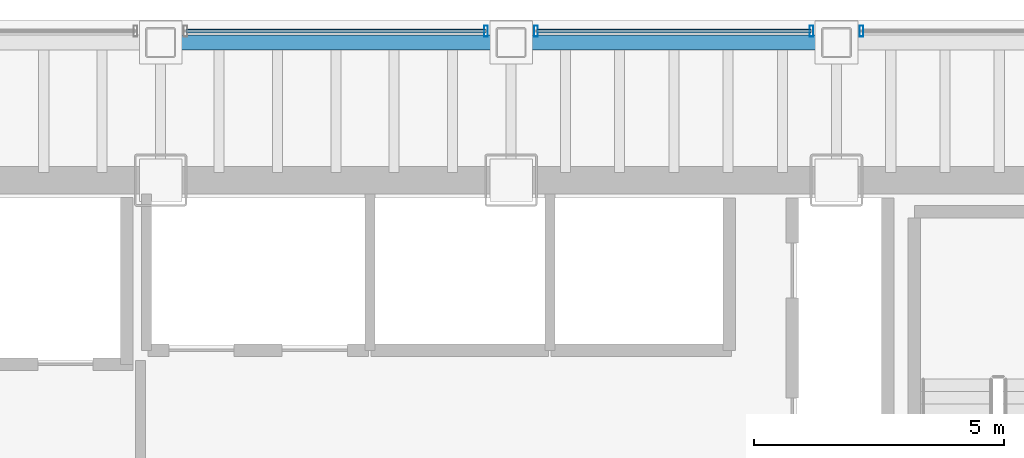
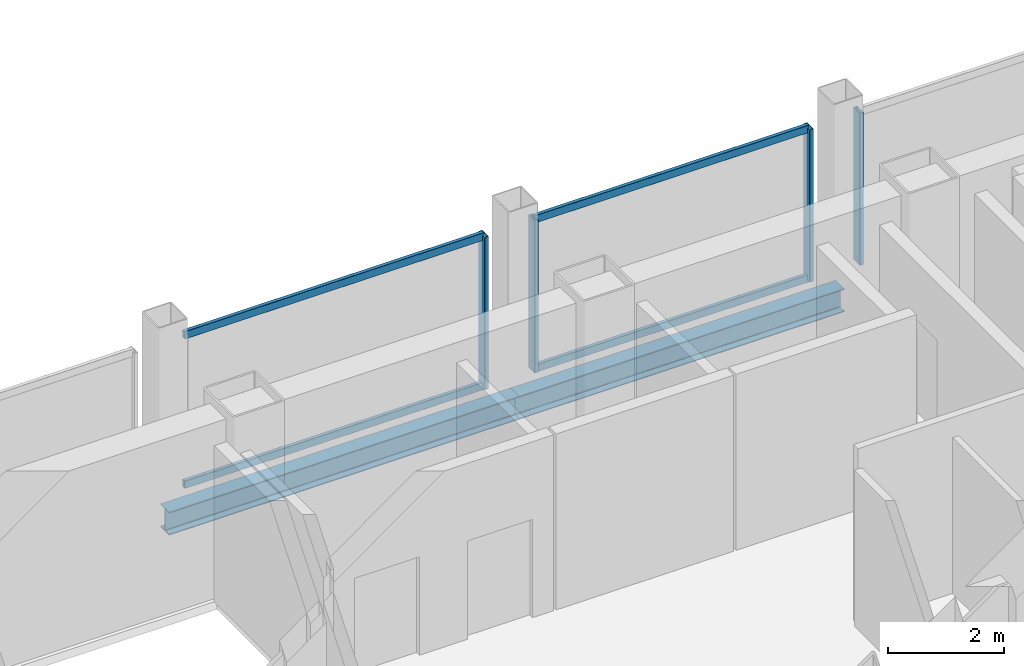
# One storey, part 15 of 22: 8 members, 2 beams, 3 elements without a shape of their own.
"""IFC4 building model written with IfcOpenShell, lengths in metres."""

from ifc_helpers import new_model, si_unit, direction, frame, origin, origin_2d, place, context, subcontext, project, spatial, hollow_rectangle, i_section, extrude, material, material_profile, profile_set, type_object, element, aggregate, save


model = new_model("IFC4")

# Units and contexts
model_context = context("Model", 3, precision=1e-05, world=origin(), true_north=direction((0.0, 1.0)))
body_context = subcontext(model_context, "Body", "Model", "MODEL_VIEW")
ifc_project = project(units=[si_unit("LENGTHUNIT", "METRE"), si_unit("AREAUNIT", "SQUARE_METRE"), si_unit("VOLUMEUNIT", "CUBIC_METRE"), si_unit("PLANEANGLEUNIT", "RADIAN"), si_unit("MASSUNIT", "GRAM", prefix="KILO")], contexts=[model_context])

# Site, building, storey
site_placement = place(None, origin())
site = spatial("IfcSite", under=ifc_project, at=site_placement, CompositionType="ELEMENT")
building_placement = place(site_placement, origin())
building = spatial("IfcBuilding", under=site, at=building_placement, Name="Noeulbin Bourse Tower", CompositionType="ELEMENT")
storey_placement = place(building_placement, frame((0.0, 0.0, 85.0)))
storey = spatial("IfcBuildingStorey", under=building, at=storey_placement, Name="L21", CompositionType="ELEMENT", Elevation=85.0)

# Beams
ifc_material_1 = material(Name="Steel S355", Category="steel")
ifc_material_profile_1 = material_profile(ifc_material_1, i_section(OverallWidth=0.300048828125, OverallDepth=0.488037109375, WebThickness=0.010986328125, FlangeThickness=0.01806640625, FilletRadius=0.02197265625, at=origin_2d()), Name="H-488x300x11x18", Category="LoadBearing")
ifc_profile_set_1 = profile_set([ifc_material_profile_1], Name="Steel S355")
beam_type = type_object("IfcBeamType", Name="BM-SPN-488", PredefinedType="SPANDREL", material=ifc_profile_set_1)
beam_1_placement = place(storey_placement, frame((24.0, 41.050048828125, -0.424072265625), z_axis=(1.0, 0.0, 0.0), x_axis=(0.0, 1.0, 0.0)))
element("IfcBeam", 1, at=beam_1_placement, inside=storey, type_object=beam_type, Name="North Spandrel L21-2", PredefinedType="SPANDREL", context=body_context, shape_type="SweptSolid", body=[
    extrude(i_section(OverallWidth=0.300048828125, OverallDepth=0.488037109375, WebThickness=0.010986328125, FlangeThickness=0.01806640625, FilletRadius=0.02197265625, at=origin_2d()), origin(), (0.0, 0.0, 1.0), 7.0),
])
beam_2_placement = place(storey_placement, frame((31.0, 41.050048828125, -0.424072265625), z_axis=(1.0, 0.0, 0.0), x_axis=(0.0, 1.0, 0.0)))
element("IfcBeam", 2, at=beam_2_placement, inside=storey, type_object=beam_type, Name="North Spandrel L21-3", PredefinedType="SPANDREL", context=body_context, shape_type="SweptSolid", body=[
    extrude(i_section(OverallWidth=0.300048828125, OverallDepth=0.488037109375, WebThickness=0.010986328125, FlangeThickness=0.01806640625, FilletRadius=0.02197265625, at=origin_2d()), origin(), (0.0, 0.0, 1.0), 6.5),
])

# Curtain wall, member
ifc_material_2 = material(Name="Dark Solar-Control Double Glazing", Category="glass")
curtain_wall_type = type_object("IfcCurtainWallType", Name="CW-SYS-2", PredefinedType="NOTDEFINED", material=ifc_material_2)
curtain_wall_1_placement = place(storey_placement, origin())
curtain_wall_1 = element("IfcCurtainWall", 3, at=curtain_wall_1_placement, inside=storey, type_object=curtain_wall_type, Name="Unitised Curtain Wall CW-L21-N-S3", PredefinedType="NOTDEFINED")
ifc_material_3 = material(Name="Anodised Aluminium 6063-T6", Category="aluminium")
ifc_material_profile_2 = material_profile(ifc_material_3, hollow_rectangle(XDim=0.074951171875, YDim=0.219970703125, WallThickness=0.0048828125, InnerFilletRadius=0.00244140625, OuterFilletRadius=0.0048828125, at=origin_2d()), Name="ALU-MULL-75x220x5", Category="LoadBearing")
ifc_profile_set_2 = profile_set([ifc_material_profile_2], Name="Anodised Aluminium 6063-T6")
member_type_1 = type_object("IfcMemberType", Name="CW-SYS-2-MUL", PredefinedType="MULLION", material=ifc_profile_set_2)
member_1_placement = place(storey_placement, frame((30.5, 41.280029296875, -0.02001953125), z_axis=(0.0, 0.0, 1.0), x_axis=(1.0, 0.0, 0.0)))
member_1 = element("IfcMember", 4, at=member_1_placement, type_object=member_type_1, Name="Curtain Wall Mullion CW-L21-N-S3-M01", PredefinedType="MULLION", context=body_context, shape_type="SweptSolid", body=[
    extrude(hollow_rectangle(XDim=0.074951171875, YDim=0.219970703125, WallThickness=0.0048828125, InnerFilletRadius=0.00244140625, OuterFilletRadius=0.0048828125, at=origin_2d()), origin(), (0.0, 0.0, 1.0), 3.219970703125),
])

# Curtain wall, members
curtain_wall_2_placement = place(storey_placement, origin())
curtain_wall_2 = element("IfcCurtainWall", 5, at=curtain_wall_2_placement, inside=storey, type_object=curtain_wall_type, Name="Unitised Curtain Wall CW-L21-N-S4", PredefinedType="NOTDEFINED")
member_2_placement = place(storey_placement, frame((31.5, 41.280029296875, -0.02001953125), z_axis=(0.0, 0.0, 1.0), x_axis=(1.0, 0.0, 0.0)))
member_2 = element("IfcMember", 6, at=member_2_placement, type_object=member_type_1, Name="Curtain Wall Mullion CW-L21-N-S4-M00", PredefinedType="MULLION", context=body_context, shape_type="SweptSolid", body=[
    extrude(hollow_rectangle(XDim=0.074951171875, YDim=0.219970703125, WallThickness=0.0048828125, InnerFilletRadius=0.00244140625, OuterFilletRadius=0.0048828125, at=origin_2d()), origin(), (0.0, 0.0, 1.0), 3.219970703125),
])
member_3_placement = place(storey_placement, frame((37.0, 41.280029296875, -0.02001953125), z_axis=(0.0, 0.0, 1.0), x_axis=(1.0, 0.0, 0.0)))
member_3 = element("IfcMember", 7, at=member_3_placement, type_object=member_type_1, Name="Curtain Wall Mullion CW-L21-N-S4-M01", PredefinedType="MULLION", context=body_context, shape_type="SweptSolid", body=[
    extrude(hollow_rectangle(XDim=0.074951171875, YDim=0.219970703125, WallThickness=0.0048828125, InnerFilletRadius=0.00244140625, OuterFilletRadius=0.0048828125, at=origin_2d()), origin(), (0.0, 0.0, 1.0), 3.219970703125),
])

# Curtain wall, member
curtain_wall_3_placement = place(storey_placement, origin())
curtain_wall_3 = element("IfcCurtainWall", 8, at=curtain_wall_3_placement, inside=storey, type_object=curtain_wall_type, Name="Unitised Curtain Wall CW-L21-N-S5", PredefinedType="NOTDEFINED")
member_4_placement = place(storey_placement, frame((38.0, 41.280029296875, -0.02001953125), z_axis=(0.0, 0.0, 1.0), x_axis=(1.0, 0.0, 0.0)))
member_4 = element("IfcMember", 9, at=member_4_placement, type_object=member_type_1, Name="Curtain Wall Mullion CW-L21-N-S5-M00", PredefinedType="MULLION", context=body_context, shape_type="SweptSolid", body=[
    extrude(hollow_rectangle(XDim=0.074951171875, YDim=0.219970703125, WallThickness=0.0048828125, InnerFilletRadius=0.00244140625, OuterFilletRadius=0.0048828125, at=origin_2d()), origin(), (0.0, 0.0, 1.0), 3.219970703125),
])
aggregate(curtain_wall_3, [member_4])

# Member
ifc_material_profile_3 = material_profile(ifc_material_3, hollow_rectangle(XDim=0.074951171875, YDim=0.159912109375, WallThickness=0.0048828125, InnerFilletRadius=0.00244140625, OuterFilletRadius=0.0048828125, at=origin_2d()), Name="ALU-TRAN-75x160x5", Category="LoadBearing")
ifc_profile_set_3 = profile_set([ifc_material_profile_3], Name="Anodised Aluminium 6063-T6")
member_type_2 = type_object("IfcMemberType", Name="CW-SYS-2-TRN", PredefinedType="USERDEFINED", material=ifc_profile_set_3)
member_5_placement = place(storey_placement, frame((24.510009765625, 41.280029296875, 0.010009765625), z_axis=(1.0, 0.0, 0.0), x_axis=(0.0, 1.0, 0.0)))
member_5 = element("IfcMember", 10, at=member_5_placement, type_object=member_type_2, Name="Curtain Wall Transom CW-L21-N-S3-T00", ObjectType="TRANSOM", PredefinedType="USERDEFINED", context=body_context, shape_type="SweptSolid", body=[
    extrude(hollow_rectangle(XDim=0.074951171875, YDim=0.159912109375, WallThickness=0.0048828125, InnerFilletRadius=0.00244140625, OuterFilletRadius=0.0048828125, at=origin_2d()), origin(), (0.0, 0.0, 1.0), 5.97998046875),
])

member_6_placement = place(storey_placement, frame((24.510009765625, 41.280029296875, 3.169921875), z_axis=(1.0, 0.0, 0.0), x_axis=(0.0, 1.0, 0.0)))
member_6 = element("IfcMember", 11, at=member_6_placement, type_object=member_type_2, Name="Curtain Wall Transom CW-L21-N-S3-T01", ObjectType="TRANSOM", PredefinedType="USERDEFINED", context=body_context, shape_type="SweptSolid", body=[
    extrude(hollow_rectangle(XDim=0.074951171875, YDim=0.159912109375, WallThickness=0.0048828125, InnerFilletRadius=0.00244140625, OuterFilletRadius=0.0048828125, at=origin_2d()), origin(), (0.0, 0.0, 1.0), 5.97998046875),
])

aggregate(curtain_wall_1, [member_1, member_5, member_6])

member_7_placement = place(storey_placement, frame((31.510009765625, 41.280029296875, 0.010009765625), z_axis=(1.0, 0.0, 0.0), x_axis=(0.0, 1.0, 0.0)))
member_7 = element("IfcMember", 12, at=member_7_placement, type_object=member_type_2, Name="Curtain Wall Transom CW-L21-N-S4-T00", ObjectType="TRANSOM", PredefinedType="USERDEFINED", context=body_context, shape_type="SweptSolid", body=[
    extrude(hollow_rectangle(XDim=0.074951171875, YDim=0.159912109375, WallThickness=0.0048828125, InnerFilletRadius=0.00244140625, OuterFilletRadius=0.0048828125, at=origin_2d()), origin(), (0.0, 0.0, 1.0), 5.47998046875),
])

member_8_placement = place(storey_placement, frame((31.510009765625, 41.280029296875, 3.169921875), z_axis=(1.0, 0.0, 0.0), x_axis=(0.0, 1.0, 0.0)))
member_8 = element("IfcMember", 13, at=member_8_placement, type_object=member_type_2, Name="Curtain Wall Transom CW-L21-N-S4-T01", ObjectType="TRANSOM", PredefinedType="USERDEFINED", context=body_context, shape_type="SweptSolid", body=[
    extrude(hollow_rectangle(XDim=0.074951171875, YDim=0.159912109375, WallThickness=0.0048828125, InnerFilletRadius=0.00244140625, OuterFilletRadius=0.0048828125, at=origin_2d()), origin(), (0.0, 0.0, 1.0), 5.47998046875),
])

aggregate(curtain_wall_2, [member_2, member_3, member_7, member_8])

save(model, "model.ifc")
